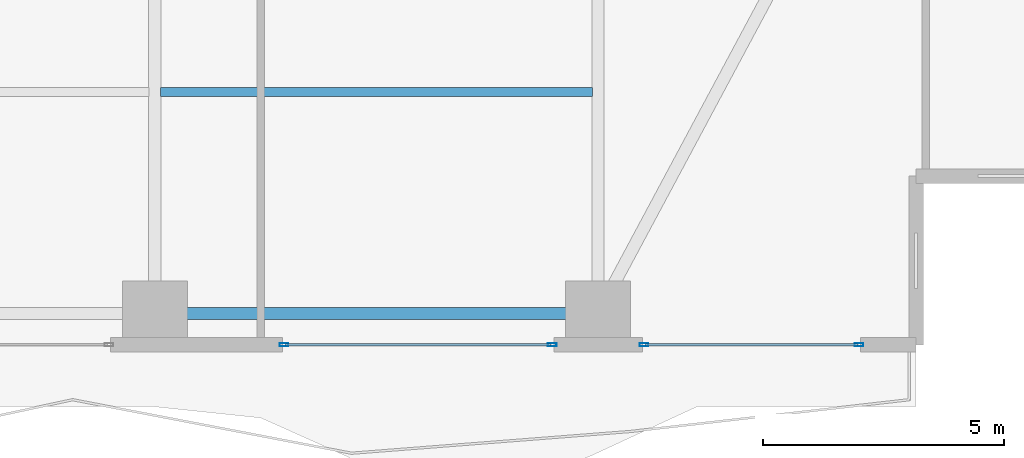
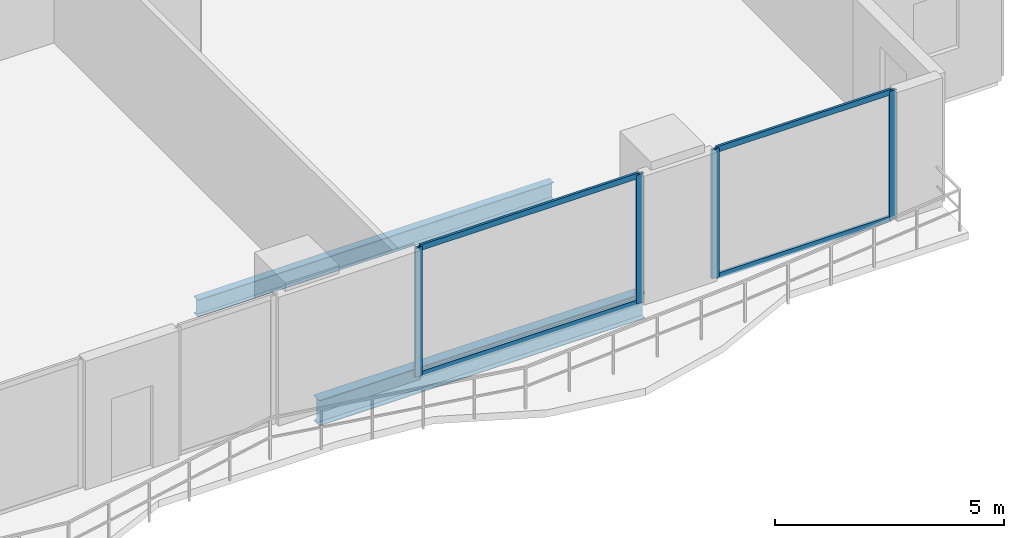
# One storey, part 9 of 29: 8 members, 2 beams, 2 elements without a shape of their own.
"""IFC4 building model written with IfcOpenShell, lengths in metres."""

import ifcopenshell
import ifcopenshell.guid

model = None  # the IFC model being written
_history = None  # IfcOwnerHistory: only IFC2X3 demands one
_inside = {}  # id of a spatial element -> (the spatial element, [elements in it])
_under = {}  # id of a project, library or spatial element -> (it, [spatial elements below it])
_declared = {}  # id of a project -> (the project, [libraries it declares])
_typed = {}  # id of a type object -> (the type object, [elements of that type])
_made_of = {}  # id of a material, layer set ... -> (it, [elements and type objects made of it])


def new_model(schema):
    """Start an empty IFC model of exactly this schema.

    Asked for "IFC4X3", IfcOpenShell would pick the latest addendum, in which some entities
    have other attributes; the version numbers below select the first issue.
    IFC2X3 requires an IfcOwnerHistory on every rooted entity: one is made here for all.
    """
    global model, _history
    if schema == "IFC4X3":
        model = ifcopenshell.file(schema_version=(4, 3, 0, 0))
    else:
        model = ifcopenshell.file(schema=schema)
    _inside.clear()
    _under.clear()
    _declared.clear()
    _typed.clear()
    _made_of.clear()
    _history = None
    if model.schema == "IFC2X3":
        org = make("IfcOrganization", Name="unknown")
        user = make(
            "IfcPersonAndOrganization",
            ThePerson=make("IfcPerson", FamilyName="unknown"),
            TheOrganization=org,
        )
        app = make(
            "IfcApplication",
            ApplicationDeveloper=org,
            Version="unknown",
            ApplicationFullName="unknown",
            ApplicationIdentifier="unknown",
        )
        _history = make(
            "IfcOwnerHistory",
            OwningUser=user,
            OwningApplication=app,
            ChangeAction="ADDED",
            CreationDate=0,
        )
    return model


def make(cls, **values):
    """One entity of the class cls with the attributes given. An attribute that is None is left unset."""
    return model.create_entity(
        cls, **{name: value for name, value in values.items() if value is not None}
    )


def rooted(cls, **values):
    """An entity with a GlobalId (a new one), such as an element, a storey or a relation."""
    return make(cls, GlobalId=ifcopenshell.guid.new(), OwnerHistory=_history, **values)


def si_unit(unit_type, name, prefix=None):
    """IfcSIUnit, for example si_unit("LENGTHUNIT", "METRE", prefix="MILLI")."""
    return make("IfcSIUnit", UnitType=unit_type, Prefix=prefix, Name=name)


def assignment(units):
    """IfcUnitAssignment: the units of a project."""
    return None if units is None else make("IfcUnitAssignment", Units=units)


def point(xyz):
    """IfcCartesianPoint."""
    return None if xyz is None else make("IfcCartesianPoint", Coordinates=xyz)


def direction(xyz):
    """IfcDirection."""
    return None if xyz is None else make("IfcDirection", DirectionRatios=xyz)


def frame(location, z_axis=None, x_axis=None):
    """IfcAxis2Placement3D, a coordinate frame: its origin and axes. An axis left out is left unset."""
    return make(
        "IfcAxis2Placement3D",
        Location=point(location),
        Axis=direction(z_axis),
        RefDirection=direction(x_axis),
    )


def frame_2d(location, x_axis=None):
    """IfcAxis2Placement2D, a coordinate frame in the plane: its origin and x axis."""
    return make(
        "IfcAxis2Placement2D", Location=point(location), RefDirection=direction(x_axis)
    )


def origin():
    """The frame at (0, 0, 0) with its axes left unset."""
    return frame((0.0, 0.0, 0.0))


def origin_2d():
    """The frame at (0, 0) in the plane with its x axis left unset."""
    return frame_2d((0.0, 0.0))


def place(relative_to, where):
    """IfcLocalPlacement: puts the frame where relative to a parent placement (None: the world)."""
    return make(
        "IfcLocalPlacement", PlacementRelTo=relative_to, RelativePlacement=where
    )


def context(
    kind, dimensions, precision=None, world=None, true_north=None, identifier=None
):
    """IfcGeometricRepresentationContext, for example the 3D "Model" context."""
    return make(
        "IfcGeometricRepresentationContext",
        ContextIdentifier=identifier,
        ContextType=kind,
        CoordinateSpaceDimension=dimensions,
        Precision=precision,
        WorldCoordinateSystem=world,
        TrueNorth=true_north,
    )


def subcontext(parent, identifier, kind, view, scale=None):
    """IfcGeometricRepresentationSubContext, for example "Body" below "Model"."""
    return make(
        "IfcGeometricRepresentationSubContext",
        ContextIdentifier=identifier,
        ContextType=kind,
        ParentContext=parent,
        TargetScale=scale,
        TargetView=view,
    )


def project(units=None, contexts=None):
    """IfcProject with its units and contexts."""
    return rooted(
        "IfcProject",
        Name="project",
        RepresentationContexts=contexts,
        UnitsInContext=assignment(units),
    )


def spatial(cls, under=None, at=None, **own):
    """A site, building, storey or space (cls), placed at a placement, below another one or the project."""
    s = rooted(cls, ObjectPlacement=at, **own)
    if under is not None:
        _under.setdefault(under.id(), (under, []))[1].append(s)
    return s


def profile(cls, at=None, kind="AREA", **sizes):
    """A parametric profile (cls). Its sizes go by their IFC names, for example OverallWidth=200.0."""
    return make(cls, ProfileType=kind, Position=at, **sizes)


def hollow_rectangle(**sizes):
    """IfcRectangleHollowProfileDef."""
    return profile("IfcRectangleHollowProfileDef", **sizes)


def i_section(**sizes):
    """IfcIShapeProfileDef."""
    return profile("IfcIShapeProfileDef", **sizes)


def extrude(swept, where, along, depth):
    """IfcExtrudedAreaSolid: the profile swept, set in the frame where, extruded along a direction by depth."""
    return make(
        "IfcExtrudedAreaSolid",
        SweptArea=swept,
        Position=where,
        ExtrudedDirection=direction(along),
        Depth=depth,
    )


def shape(context_of_items, identifier, shape_type, items):
    """IfcShapeRepresentation: the items that make up one representation, for example the "Body"."""
    return make(
        "IfcShapeRepresentation",
        ContextOfItems=context_of_items,
        RepresentationIdentifier=identifier,
        RepresentationType=shape_type,
        Items=items,
    )


def material(Name=None, Category=None):
    """IfcMaterial."""
    return make("IfcMaterial", Name=Name, Category=Category)


def layer(
    of_material, thickness, ventilated=None, Name=None, Category=None, Priority=None
):
    """IfcMaterialLayer: one layer of a wall or slab, of a material (None: an air gap)."""
    return make(
        "IfcMaterialLayer",
        Material=of_material,
        LayerThickness=thickness,
        IsVentilated=ventilated,
        Name=Name,
        Category=Category,
        Priority=Priority,
    )


def layer_set(layers, Name=None):
    """IfcMaterialLayerSet."""
    return make("IfcMaterialLayerSet", MaterialLayers=layers, LayerSetName=Name)


def material_profile(
    of_material, cross_section, Name=None, Category=None, Priority=None
):
    """IfcMaterialProfile: a cross section and its material."""
    return make(
        "IfcMaterialProfile",
        Name=Name,
        Material=of_material,
        Profile=cross_section,
        Priority=Priority,
        Category=Category,
    )


def profile_set(profiles, Name=None, composite=None):
    """IfcMaterialProfileSet."""
    return make(
        "IfcMaterialProfileSet",
        Name=Name,
        MaterialProfiles=profiles,
        CompositeProfile=composite,
    )


def made_of(thing, what):
    """Note that an element or type object is made of a material, layer set ...; save() writes the relation."""
    if what is not None:
        _made_of.setdefault(what.id(), (what, []))[1].append(thing)
    return thing


def type_object(cls, material=None, **own):
    """A type object (cls), such as IfcWallType, which elements share."""
    return made_of(rooted(cls, **own), material)


def element(
    cls,
    number,
    at=None,
    inside=None,
    cuts=None,
    type_object=None,
    material=None,
    context=None,
    identifier="Body",
    shape_type=None,
    held_by="IfcProductDefinitionShape",
    body=None,
    shapes=None,
    **own,
):
    """One element of the class cls, such as IfcWall. Its Tag is "e" and its number.

    at: its placement. inside: the storey or other place that contains it. cuts: it is an
    opening in that element (IfcRelVoidsElement). A single representation is given by context,
    identifier, shape_type and body (its items); several are given by shapes. held_by: the class
    of the entity that holds the representations. save() writes the other relations.
    """
    e = rooted(cls, Tag="e%d" % number, ObjectPlacement=at, **own)
    if body is not None:
        shapes = [shape(context, identifier, shape_type, body)]
    if shapes is not None:
        e.Representation = make(held_by, Representations=shapes)
    if inside is not None:
        _inside.setdefault(inside.id(), (inside, []))[1].append(e)
    if cuts is not None:
        rooted(
            "IfcRelVoidsElement", RelatingBuildingElement=cuts, RelatedOpeningElement=e
        )
    if type_object is not None:
        _typed.setdefault(type_object.id(), (type_object, []))[1].append(e)
    return made_of(e, material)


def aggregate(whole, parts):
    """IfcRelAggregates: a whole, such as a stair, and the parts it consists of."""
    return rooted("IfcRelAggregates", RelatingObject=whole, RelatedObjects=parts)


def save(model, path):
    """Write the relations noted so far, then the file.

    IfcRelAggregates (storeys below a building ...), IfcRelContainedInSpatialStructure (elements
    in a storey), IfcRelDefinesByType, IfcRelAssociatesMaterial and IfcRelDeclares: one each for
    every whole, place, type object, material and project.
    """
    for whole, parts in _under.values():
        aggregate(whole, parts)
    for where, things in _inside.values():
        rooted(
            "IfcRelContainedInSpatialStructure",
            RelatedElements=things,
            RelatingStructure=where,
        )
    for kind, things in _typed.values():
        rooted("IfcRelDefinesByType", RelatedObjects=things, RelatingType=kind)
    for what, things in _made_of.values():
        rooted("IfcRelAssociatesMaterial", RelatedObjects=things, RelatingMaterial=what)
    for by, libraries in _declared.values():
        rooted("IfcRelDeclares", RelatingContext=by, RelatedDefinitions=libraries)
    model.write(path)


model = new_model("IFC4")

# Units and contexts
model_context = context("Model", 3, precision=1e-05, world=origin(), true_north=direction((0.0, 1.0)))
body_context = subcontext(model_context, "Body", "Model", "MODEL_VIEW")
ifc_project = project(units=[si_unit("LENGTHUNIT", "METRE"), si_unit("AREAUNIT", "SQUARE_METRE"), si_unit("VOLUMEUNIT", "CUBIC_METRE"), si_unit("PLANEANGLEUNIT", "RADIAN"), si_unit("MASSUNIT", "GRAM", prefix="KILO")], contexts=[model_context])

# Site, building, storey
site_placement = place(None, origin())
site = spatial("IfcSite", under=ifc_project, at=site_placement, CompositionType="ELEMENT")
building_placement = place(site_placement, origin())
building = spatial("IfcBuilding", under=site, at=building_placement, Name="Zuhayl Quay Hotel", CompositionType="ELEMENT")
storey_placement = place(building_placement, frame((0.0, 0.0, 106.60009765625)))
storey = spatial("IfcBuildingStorey", under=building, at=storey_placement, Name="L26", CompositionType="ELEMENT", Elevation=106.60009765625)

# Beams
ifc_material_1 = material(Name="Steel ASTM A992 Grade 50", Category="steel")
ifc_material_profile_1 = material_profile(ifc_material_1, i_section(OverallWidth=0.25390625, OverallDepth=0.68310546875, WebThickness=0.012451171875, FlangeThickness=0.018798828125, at=origin_2d()), Name="W27X94")
ifc_profile_set_1 = profile_set([ifc_material_profile_1], Name="Steel ASTM A992 Grade 50")
beam_type_1 = type_object("IfcBeamType", Name="BM_B2_W27X94", PredefinedType="BEAM", material=ifc_profile_set_1)
beam_1_placement = place(storey_placement, frame((5.10009765625, -14.75, -0.5615234375), z_axis=(1.0, 0.0, 0.0), x_axis=(0.0, 1.0, 0.0)))
element("IfcBeam", 1, at=beam_1_placement, inside=storey, type_object=beam_type_1, Name="L26 Floor Beam RG_L26_03", PredefinedType="BEAM", context=body_context, shape_type="SweptSolid", body=[
    extrude(i_section(OverallWidth=0.25390625, OverallDepth=0.68310546875, WebThickness=0.012451171875, FlangeThickness=0.018798828125, at=origin_2d()), origin(), (0.0, 0.0, 1.0), 8.199951171875),
])
ifc_material_profile_2 = material_profile(ifc_material_1, i_section(OverallWidth=0.18994140625, OverallDepth=0.45703125, WebThickness=0.009033203125, FlangeThickness=0.014404296875, at=origin_2d()), Name="W18X50")
ifc_profile_set_2 = profile_set([ifc_material_profile_2], Name="Steel ASTM A992 Grade 50")
beam_type_2 = type_object("IfcBeamType", Name="BM_J2_W18X50", PredefinedType="JOIST", material=ifc_profile_set_2)
beam_2_placement = place(storey_placement, frame((4.718994140625, -10.14990234375, -0.448486328125), z_axis=(1.0, 0.0, 0.0), x_axis=(0.0, 1.0, 0.0)))
element("IfcBeam", 2, at=beam_2_placement, inside=storey, type_object=beam_type_2, Name="L26 Floor Beam FJ_L26_5_3", PredefinedType="JOIST", context=body_context, shape_type="SweptSolid", body=[
    extrude(i_section(OverallWidth=0.18994140625, OverallDepth=0.45703125, WebThickness=0.009033203125, FlangeThickness=0.014404296875, at=origin_2d()), origin(), (0.0, 0.0, 1.0), 8.9619140625),
])

# Curtain wall, members
ifc_material_2 = material(Name="Anodised Aluminium 6063-T6", Category="aluminium")
ifc_layer = layer(ifc_material_2, 0.179931640625, Name="Anodised Aluminium 6063-T6", Category="aluminium")
ifc_layer_set = layer_set([ifc_layer], Name="Anodised Aluminium 6063-T6")
curtain_wall_type = type_object("IfcCurtainWallType", Name="CW_SYS_Z2", PredefinedType="USERDEFINED", material=ifc_layer_set)
curtain_wall_1_placement = place(storey_placement, origin())
curtain_wall_1 = element("IfcCurtainWall", 3, at=curtain_wall_1_placement, inside=storey, type_object=curtain_wall_type, Name="L26 Curtain Wall ENV_L26_S_CW1", ObjectType="UNITISED CURTAIN WALL", PredefinedType="USERDEFINED")
ifc_material_3 = material(Name="Black-anodised aluminium 6063-T6", Category="aluminium")
ifc_material_profile_3 = material_profile(ifc_material_3, hollow_rectangle(XDim=0.06494140625, YDim=0.179931640625, WallThickness=0.00341796875, at=origin_2d()), Name="ALU180X65")
ifc_profile_set_3 = profile_set([ifc_material_profile_3], Name="Black-anodised aluminium 6063-T6")
member_type_1 = type_object("IfcMemberType", Name="MB_CW_MUL_180", PredefinedType="MULLION", material=ifc_profile_set_3)
member_1_placement = place(storey_placement, frame((19.217529296875, -15.39990234375, 0.0), z_axis=(0.0, 0.0, 1.0), x_axis=(0.0, -1.0, 0.0)))
member_1 = element("IfcMember", 4, at=member_1_placement, type_object=member_type_1, Name="CW-Z2 mullion 1", PredefinedType="MULLION", context=body_context, shape_type="SweptSolid", body=[
    extrude(hollow_rectangle(XDim=0.06494140625, YDim=0.179931640625, WallThickness=0.00341796875, at=origin_2d()), origin(), (0.0, 0.0, 1.0), 3.429931640625),
])
member_2_placement = place(storey_placement, frame((14.75244140625, -15.39990234375, 0.0), z_axis=(0.0, 0.0, 1.0), x_axis=(0.0, -1.0, 0.0)))
member_2 = element("IfcMember", 5, at=member_2_placement, type_object=member_type_1, Name="CW-Z2 mullion 2", PredefinedType="MULLION", context=body_context, shape_type="SweptSolid", body=[
    extrude(hollow_rectangle(XDim=0.06494140625, YDim=0.179931640625, WallThickness=0.00341796875, at=origin_2d()), origin(), (0.0, 0.0, 1.0), 3.429931640625),
])

curtain_wall_2_placement = place(storey_placement, origin())
curtain_wall_2 = element("IfcCurtainWall", 6, at=curtain_wall_2_placement, inside=storey, type_object=curtain_wall_type, Name="L26 Curtain Wall ENV_L26_S_CW2", ObjectType="UNITISED CURTAIN WALL", PredefinedType="USERDEFINED")
member_3_placement = place(storey_placement, frame((12.847412109375, -15.39990234375, 0.0), z_axis=(0.0, 0.0, 1.0), x_axis=(0.0, -1.0, 0.0)))
member_3 = element("IfcMember", 7, at=member_3_placement, type_object=member_type_1, Name="CW-Z2 mullion 1", PredefinedType="MULLION", context=body_context, shape_type="SweptSolid", body=[
    extrude(hollow_rectangle(XDim=0.06494140625, YDim=0.179931640625, WallThickness=0.00341796875, at=origin_2d()), origin(), (0.0, 0.0, 1.0), 3.429931640625),
])
member_4_placement = place(storey_placement, frame((7.282470703125, -15.39990234375, 0.0), z_axis=(0.0, 0.0, 1.0), x_axis=(0.0, -1.0, 0.0)))
member_4 = element("IfcMember", 8, at=member_4_placement, type_object=member_type_1, Name="CW-Z2 mullion 2", PredefinedType="MULLION", context=body_context, shape_type="SweptSolid", body=[
    extrude(hollow_rectangle(XDim=0.06494140625, YDim=0.179931640625, WallThickness=0.00341796875, at=origin_2d()), origin(), (0.0, 0.0, 1.0), 3.429931640625),
])

# Member
ifc_material_profile_4 = material_profile(ifc_material_3, hollow_rectangle(XDim=0.06005859375, YDim=0.14990234375, WallThickness=0.00341796875, at=origin_2d()), Name="ALU150X60")
ifc_profile_set_4 = profile_set([ifc_material_profile_4], Name="Black-anodised aluminium 6063-T6")
member_type_2 = type_object("IfcMemberType", Name="MB_CW_TRN_150", PredefinedType="USERDEFINED", material=ifc_profile_set_4)
member_5_placement = place(storey_placement, frame((19.18505859375, -15.39990234375, 0.02978515625), z_axis=(-1.0, 0.0, 0.0), x_axis=(0.0, -1.0, 0.0)))
member_5 = element("IfcMember", 9, at=member_5_placement, type_object=member_type_2, Name="CW-Z2 transom 1.1", ObjectType="TRANSOM", PredefinedType="USERDEFINED", context=body_context, shape_type="SweptSolid", body=[
    extrude(hollow_rectangle(XDim=0.06005859375, YDim=0.14990234375, WallThickness=0.00341796875, at=origin_2d()), origin(), (0.0, 0.0, 1.0), 4.400146484375),
])

member_6_placement = place(storey_placement, frame((19.18505859375, -15.39990234375, 3.39990234375), z_axis=(-1.0, 0.0, 0.0), x_axis=(0.0, -1.0, 0.0)))
member_6 = element("IfcMember", 10, at=member_6_placement, type_object=member_type_2, Name="CW-Z2 transom 1.2", ObjectType="TRANSOM", PredefinedType="USERDEFINED", context=body_context, shape_type="SweptSolid", body=[
    extrude(hollow_rectangle(XDim=0.06005859375, YDim=0.14990234375, WallThickness=0.00341796875, at=origin_2d()), origin(), (0.0, 0.0, 1.0), 4.400146484375),
])

aggregate(curtain_wall_1, [member_1, member_2, member_5, member_6])

member_7_placement = place(storey_placement, frame((12.81494140625, -15.39990234375, 0.02978515625), z_axis=(-1.0, 0.0, 0.0), x_axis=(0.0, -1.0, 0.0)))
member_7 = element("IfcMember", 11, at=member_7_placement, type_object=member_type_2, Name="CW-Z2 transom 1.1", ObjectType="TRANSOM", PredefinedType="USERDEFINED", context=body_context, shape_type="SweptSolid", body=[
    extrude(hollow_rectangle(XDim=0.06005859375, YDim=0.14990234375, WallThickness=0.00341796875, at=origin_2d()), origin(), (0.0, 0.0, 1.0), 5.5),
])

member_8_placement = place(storey_placement, frame((12.81494140625, -15.39990234375, 3.39990234375), z_axis=(-1.0, 0.0, 0.0), x_axis=(0.0, -1.0, 0.0)))
member_8 = element("IfcMember", 12, at=member_8_placement, type_object=member_type_2, Name="CW-Z2 transom 1.2", ObjectType="TRANSOM", PredefinedType="USERDEFINED", context=body_context, shape_type="SweptSolid", body=[
    extrude(hollow_rectangle(XDim=0.06005859375, YDim=0.14990234375, WallThickness=0.00341796875, at=origin_2d()), origin(), (0.0, 0.0, 1.0), 5.5),
])

aggregate(curtain_wall_2, [member_3, member_4, member_7, member_8])

save(model, "model.ifc")
